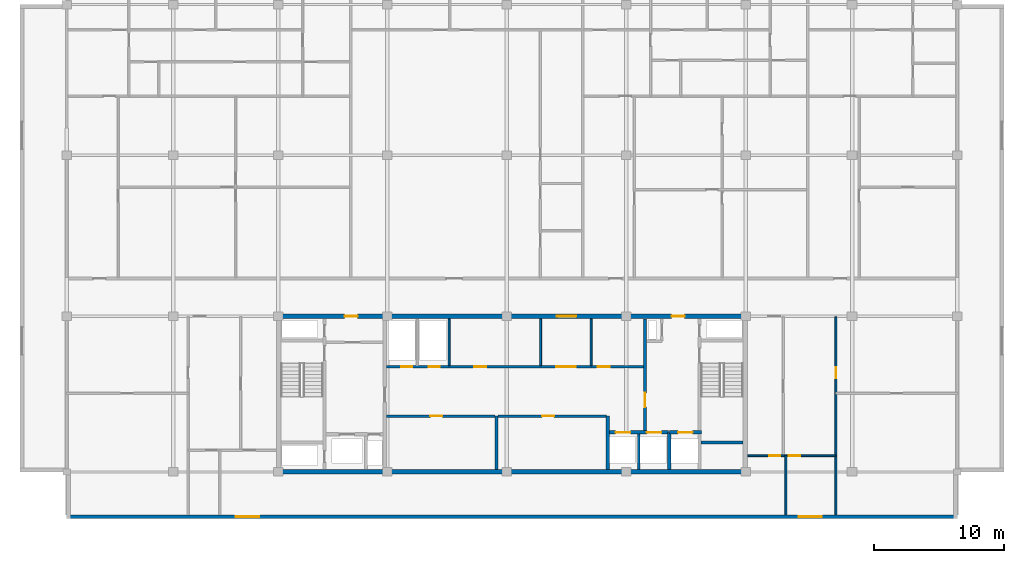
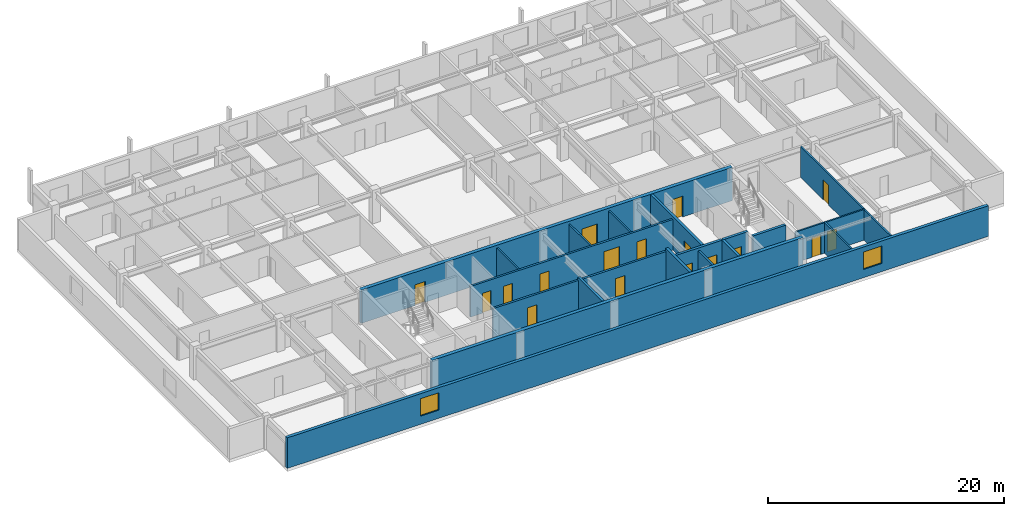
# One storey, part 4 of 10: 20 walls, 17 doors, 2 windows, 19 openings.
"""IFC4 building model written with IfcOpenShell, lengths in metres."""

from ifc_helpers import new_model, si_unit, direction, frame, frame_2d, origin, place, context, subcontext, project, spatial, rectangle, extrude, material, layer, layer_set, type_object, element, fill, save


model = new_model("IFC4")

# Units and contexts
model_context = context("Model", 3, precision=1e-05, world=origin(), true_north=direction((0.0, 1.0)))
body_context = subcontext(model_context, "Body", "Model", "MODEL_VIEW")
ifc_project = project(units=[si_unit("LENGTHUNIT", "METRE"), si_unit("AREAUNIT", "SQUARE_METRE"), si_unit("VOLUMEUNIT", "CUBIC_METRE"), si_unit("PLANEANGLEUNIT", "RADIAN"), si_unit("MASSUNIT", "GRAM", prefix="KILO")], contexts=[model_context])

# Site, building, storey
site_placement = place(None, origin())
site = spatial("IfcSite", under=ifc_project, at=site_placement, CompositionType="ELEMENT")
building_placement = place(site_placement, origin())
building = spatial("IfcBuilding", under=site, at=building_placement, Name="Korimba Cascade Residences", CompositionType="ELEMENT")
storey_placement = place(building_placement, frame((0.0, 0.0, 228.64990234375)))
storey = spatial("IfcBuildingStorey", under=building, at=storey_placement, Name="L66", CompositionType="ELEMENT", Elevation=228.64990234375)

# Wall, openings, windows
ifc_material_1 = material(Name="Precast concrete C40/50", Category="concrete")
ifc_layer_1 = layer(ifc_material_1, 0.300048828125)
ifc_layer_set_1 = layer_set([ifc_layer_1], Name="Precast concrete C40/50")
wall_type_1 = type_object("IfcWallType", Name="EW-STONE-300", PredefinedType="STANDARD", material=ifc_layer_set_1)
wall_1_placement = place(storey_placement, frame((59.800048828125, 51.75, 0.0), z_axis=(0.0, 0.0, 1.0), x_axis=(1.0, 0.0, 0.0)))
wall_1 = element("IfcWall", 1, at=wall_1_placement, inside=storey, type_object=wall_type_1, Name="L66 T1 Perimeter Stone Wall E00", PredefinedType="STANDARD", context=body_context, shape_type="SweptSolid", body=[
    extrude(rectangle(XDim=68.599853515625, YDim=0.300048828125, at=frame_2d((34.2998046875, 0.0))), origin(), (0.0, 0.0, 1.0), 3.170166015625),
])
opening_1_placement = place(wall_1_placement, frame((13.02490234375, 0.0, 0.85009765625)))
opening_1 = element("IfcOpeningElement", 2, at=opening_1_placement, cuts=wall_1, Name="Opening W-02", PredefinedType="OPENING", context=body_context, shape_type="SweptSolid", body=[
    extrude(rectangle(XDim=1.800048828125, YDim=1.800048828125, at=frame_2d((0.89990234375, 0.89990234375))), frame((0.0, 0.16015625, 0.0), z_axis=(0.0, -1.0, 0.0), x_axis=(1.0, 0.0, 0.0)), (0.0, 0.0, 1.0), 0.320068359375),
])
opening_2_placement = place(wall_1_placement, frame((56.375, 0.0, 0.85009765625)))
opening_2 = element("IfcOpeningElement", 3, at=opening_2_placement, cuts=wall_1, Name="Opening W-02", PredefinedType="OPENING", context=body_context, shape_type="SweptSolid", body=[
    extrude(rectangle(XDim=1.800048828125, YDim=1.800048828125, at=frame_2d((0.89990234375, 0.89990234375))), frame((0.0, 0.16015625, 0.0), z_axis=(0.0, -1.0, 0.0), x_axis=(1.0, 0.0, 0.0)), (0.0, 0.0, 1.0), 0.320068359375),
])
ifc_material_2 = material(Name="Double-Glazed Aluminium Window", Category="aluminium")
window_type = type_object("IfcWindowType", Name="WIN-BED-1800", PartitioningType="SINGLE_PANEL", PredefinedType="WINDOW", material=ifc_material_2)
window_1_placement = place(opening_1_placement, origin())
window_1 = element("IfcWindow", 4, at=window_1_placement, inside=storey, type_object=window_type, Name="L66 T1 South Corner Bedroom Window 1", OverallHeight=1.800048828125, OverallWidth=1.800048828125, PartitioningType="SINGLE_PANEL", PredefinedType="WINDOW", context=body_context, shape_type="SweptSolid", body=[
    extrude(rectangle(XDim=1.800048828125, YDim=1.800048828125, at=frame_2d((0.89990234375, 0.89990234375))), frame((0.0, 0.030029296875, 0.0), z_axis=(0.0, -1.0, 0.0), x_axis=(1.0, 0.0, 0.0)), (0.0, 0.0, 1.0), 0.06005859375),
])
fill(opening_1, window_1)
window_2_placement = place(opening_2_placement, origin())
window_2 = element("IfcWindow", 5, at=window_2_placement, inside=storey, type_object=window_type, Name="L66 T1 South Corner Bedroom Window 2", OverallHeight=1.800048828125, OverallWidth=1.800048828125, PartitioningType="SINGLE_PANEL", PredefinedType="WINDOW", context=body_context, shape_type="SweptSolid", body=[
    extrude(rectangle(XDim=1.800048828125, YDim=1.800048828125, at=frame_2d((0.89990234375, 0.89990234375))), frame((0.0, 0.030029296875, 0.0), z_axis=(0.0, -1.0, 0.0), x_axis=(1.0, 0.0, 0.0)), (0.0, 0.0, 1.0), 0.06005859375),
])
fill(opening_2, window_2)

# Wall
ifc_material_3 = material(Name="Concrete C65/80", Category="concrete")
ifc_layer_2 = layer(ifc_material_3, 0.35009765625)
ifc_layer_set_2 = layer_set([ifc_layer_2], Name="Concrete C65/80")
wall_type_2 = type_object("IfcWallType", Name="WAL-CORE-350", PredefinedType="SHEAR", material=ifc_layer_set_2)
wall_2_placement = place(storey_placement, frame((75.949951171875, 55.199951171875, 0.0), z_axis=(0.0, 0.0, 1.0), x_axis=(1.0, 0.0, 0.0)))
element("IfcWall", 6, at=wall_2_placement, inside=storey, type_object=wall_type_2, Name="L66 Core Shear Wall CW-L66-T1-S", PredefinedType="SHEAR", context=body_context, shape_type="SweptSolid", body=[
    extrude(rectangle(XDim=36.300048828125, YDim=0.35009765625, at=frame_2d((18.14990234375, 0.0))), origin(), (0.0, 0.0, 1.0), 3.4501953125),
])

# Wall, openings, doors
wall_3_placement = place(storey_placement, frame((75.949951171875, 67.199951171875, 0.0), z_axis=(0.0, 0.0, 1.0), x_axis=(1.0, 0.0, 0.0)))
wall_3 = element("IfcWall", 7, at=wall_3_placement, inside=storey, type_object=wall_type_2, Name="L66 Core Shear Wall CW-L66-T1-N", PredefinedType="SHEAR", context=body_context, shape_type="SweptSolid", body=[
    extrude(rectangle(XDim=36.300048828125, YDim=0.35009765625, at=frame_2d((18.14990234375, 0.0))), origin(), (0.0, 0.0, 1.0), 3.4501953125),
])
opening_3_placement = place(wall_3_placement, frame((5.25, 0.0, 0.0)))
opening_3 = element("IfcOpeningElement", 8, at=opening_3_placement, cuts=wall_3, Name="Opening D-FD5", PredefinedType="OPENING", context=body_context, shape_type="SweptSolid", body=[
    extrude(rectangle(XDim=1.0, YDim=2.14990234375, at=frame_2d((0.5, 1.074951171875))), frame((0.0, 0.18505859375, 0.0), z_axis=(0.0, -1.0, 0.0), x_axis=(1.0, 0.0, 0.0)), (0.0, 0.0, 1.0), 0.3701171875),
])
opening_4_placement = place(wall_3_placement, frame((21.60009765625, 0.0, 0.0)))
opening_4 = element("IfcOpeningElement", 9, at=opening_4_placement, cuts=wall_3, Name="Opening D-FD8", PredefinedType="OPENING", context=body_context, shape_type="SweptSolid", body=[
    extrude(rectangle(XDim=1.5, YDim=2.199951171875, at=frame_2d((0.75, 1.10009765625))), frame((0.0, 0.18505859375, 0.0), z_axis=(0.0, -1.0, 0.0), x_axis=(1.0, 0.0, 0.0)), (0.0, 0.0, 1.0), 0.3701171875),
])
opening_5_placement = place(wall_3_placement, frame((30.449951171875, 0.0, 0.0)))
opening_5 = element("IfcOpeningElement", 10, at=opening_5_placement, cuts=wall_3, Name="Opening D-FD5", PredefinedType="OPENING", context=body_context, shape_type="SweptSolid", body=[
    extrude(rectangle(XDim=1.0, YDim=2.14990234375, at=frame_2d((0.5, 1.074951171875))), frame((0.0, 0.18505859375, 0.0), z_axis=(0.0, -1.0, 0.0), x_axis=(1.0, 0.0, 0.0)), (0.0, 0.0, 1.0), 0.3701171875),
])
ifc_material_4 = material(Name="Fire-Rated Acoustic Timber Vestibule Door", Category="wood")
door_type_1 = type_object("IfcDoorType", Name="DR-FD90-1000", OperationType="NOTDEFINED", PredefinedType="DOOR", material=ifc_material_4)
door_1_placement = place(opening_3_placement, origin())
door_1 = element("IfcDoor", 11, at=door_1_placement, inside=storey, type_object=door_type_1, Name="L66 T1 West Core Vestibule Fire Door", OperationType="SINGLE_SWING_LEFT", OverallHeight=2.14990234375, OverallWidth=1.0, PredefinedType="DOOR", context=body_context, shape_type="SweptSolid", body=[
    extrude(rectangle(XDim=1.0, YDim=2.14990234375, at=frame_2d((0.5, 1.074951171875))), frame((0.0, 0.02490234375, 0.0), z_axis=(0.0, -1.0, 0.0), x_axis=(1.0, 0.0, 0.0)), (0.0, 0.0, 1.0), 0.050048828125),
])
fill(opening_3, door_1)
door_2_placement = place(opening_5_placement, origin())
door_2 = element("IfcDoor", 12, at=door_2_placement, inside=storey, type_object=door_type_1, Name="L66 T1 East Firefighting Vestibule Fire Door", OperationType="SINGLE_SWING_RIGHT", OverallHeight=2.14990234375, OverallWidth=1.0, PredefinedType="DOOR", context=body_context, shape_type="SweptSolid", body=[
    extrude(rectangle(XDim=1.0, YDim=2.14990234375, at=frame_2d((0.5, 1.074951171875))), frame((0.0, 0.02490234375, 0.0), z_axis=(0.0, -1.0, 0.0), x_axis=(1.0, 0.0, 0.0)), (0.0, 0.0, 1.0), 0.050048828125),
])
fill(opening_5, door_2)
ifc_material_5 = material(Name="Fire-Rated Glazed Lift Lobby Double Door", Category="glass")
door_type_2 = type_object("IfcDoorType", Name="DR-FD90-1500", OperationType="NOTDEFINED", PredefinedType="DOOR", material=ifc_material_5)
door_3_placement = place(opening_4_placement, origin())
door_3 = element("IfcDoor", 13, at=door_3_placement, inside=storey, type_object=door_type_2, Name="L66 T1 Lift Lobby Fire Door", OperationType="DOUBLE_DOOR_SINGLE_SWING", OverallHeight=2.199951171875, OverallWidth=1.5, PredefinedType="DOOR", context=body_context, shape_type="SweptSolid", body=[
    extrude(rectangle(XDim=1.5, YDim=2.199951171875, at=frame_2d((0.75, 1.10009765625))), frame((0.0, 0.02490234375, 0.0), z_axis=(0.0, -1.0, 0.0), x_axis=(1.0, 0.0, 0.0)), (0.0, 0.0, 1.0), 0.050048828125),
])
fill(opening_4, door_3)

# Walls
ifc_material_6 = material(Name="Insulated Acoustic Stud Partition", Category="gypsum")
ifc_layer_3 = layer(ifc_material_6, 0.14990234375)
ifc_layer_set_3 = layer_set([ifc_layer_3], Name="Insulated Acoustic Stud Partition")
wall_type_3 = type_object("IfcWallType", Name="WAL-PART-150", PredefinedType="PARTITIONING", material=ifc_layer_set_3)
for number, where, z_axis, x_axis, name in (
    (14, (89.25, 63.39990234375, 0.0), (0.0, 0.0, 1.0), (0.0, 1.0, 0.0), "L66 Partition Wall CW-L66-T1-PRDIV"),
    (15, (96.300048828125, 63.39990234375, 0.0), (0.0, 0.0, 1.0), (0.0, 1.0, 0.0), "L66 Partition Wall CW-L66-T1-THW"),
    (16, (100.199951171875, 63.39990234375, 0.0), (0.0, 0.0, 1.0), (0.0, 1.0, 0.0), "L66 Partition Wall CW-L66-T1-THE"),
):
    element("IfcWall", number, at=place(storey_placement, frame(where, z_axis=z_axis, x_axis=x_axis)), inside=storey, type_object=wall_type_3, Name=name, PredefinedType="PARTITIONING", context=body_context, shape_type="SweptSolid", body=[
        extrude(rectangle(XDim=3.60009765625, YDim=0.14990234375, at=frame_2d((1.800048828125, 0.0))), origin(), (0.0, 0.0, 1.0), 3.170166015625),
    ])

# Wall, opening, door
wall_4_placement = place(storey_placement, frame((119.050048828125, 51.89990234375, 0.0), z_axis=(0.0, 0.0, 1.0), x_axis=(0.0, 1.0, 0.0)))
wall_4 = element("IfcWall", 17, at=wall_4_placement, inside=storey, type_object=wall_type_3, Name="L66 Partition Wall WAL-L66-T1-FE-STV", PredefinedType="PARTITIONING", context=body_context, shape_type="SweptSolid", body=[
    extrude(rectangle(XDim=15.25, YDim=0.14990234375, at=frame_2d((7.625, 0.0))), origin(), (0.0, 0.0, 1.0), 3.170166015625),
])
opening_6_placement = place(wall_4_placement, frame((10.5, 0.0, 0.0)))
opening_6 = element("IfcOpeningElement", 18, at=opening_6_placement, cuts=wall_4, Name="Opening D-IN2", PredefinedType="OPENING", context=body_context, shape_type="SweptSolid", body=[
    extrude(rectangle(XDim=0.8798828125, YDim=2.06005859375, at=frame_2d((0.43994140625, 1.030029296875))), frame((0.0, 0.0849609375, 0.0), z_axis=(0.0, -1.0, 0.0), x_axis=(1.0, 0.0, 0.0)), (0.0, 0.0, 1.0), 0.169921875),
])
ifc_material_7 = material(Name="Acoustic Timber Bedroom Door", Category="wood")
door_type_3 = type_object("IfcDoorType", Name="DR-INT-880", OperationType="NOTDEFINED", PredefinedType="DOOR", material=ifc_material_7)
door_4_placement = place(opening_6_placement, origin())
door_4 = element("IfcDoor", 19, at=door_4_placement, inside=storey, type_object=door_type_3, Name="L66-T1-FE Study Door", OperationType="SINGLE_SWING_RIGHT", OverallHeight=2.06005859375, OverallWidth=0.8798828125, PredefinedType="DOOR", context=body_context, shape_type="SweptSolid", body=[
    extrude(rectangle(XDim=0.8798828125, YDim=2.06005859375, at=frame_2d((0.43994140625, 1.030029296875))), frame((0.0, 0.02490234375, 0.0), z_axis=(0.0, -1.0, 0.0), x_axis=(1.0, 0.0, 0.0)), (0.0, 0.0, 1.0), 0.050048828125),
])
fill(opening_6, door_4)

# Wall
wall_5_placement = place(storey_placement, frame((115.199951171875, 51.89990234375, 0.0), z_axis=(0.0, 0.0, 1.0), x_axis=(0.0, 1.0, 0.0)))
element("IfcWall", 20, at=wall_5_placement, inside=storey, type_object=wall_type_3, Name="L66 Partition Wall WAL-L66-T1-FE-VS", PredefinedType="PARTITIONING", context=body_context, shape_type="SweptSolid", body=[
    extrude(rectangle(XDim=4.550048828125, YDim=0.14990234375, at=frame_2d((2.27490234375, 0.0))), origin(), (0.0, 0.0, 1.0), 3.170166015625),
])

# Wall, openings, doors
wall_6_placement = place(storey_placement, frame((112.27001953125, 56.449951171875, 0.0), z_axis=(0.0, 0.0, 1.0), x_axis=(1.0, 0.0, 0.0)))
wall_6 = element("IfcWall", 21, at=wall_6_placement, inside=storey, type_object=wall_type_3, Name="L66 Partition Wall WAL-L66-T1-FE-H", PredefinedType="PARTITIONING", context=body_context, shape_type="SweptSolid", body=[
    extrude(rectangle(XDim=6.760009765625, YDim=0.14990234375, at=frame_2d((3.3798828125, 0.0))), origin(), (0.0, 0.0, 1.0), 3.170166015625),
])
opening_7_placement = place(wall_6_placement, frame((1.6396484375, 0.0, 0.0)))
opening_7 = element("IfcOpeningElement", 22, at=opening_7_placement, cuts=wall_6, Name="Opening D-BT1", PredefinedType="OPENING", context=body_context, shape_type="SweptSolid", body=[
    extrude(rectangle(XDim=0.840087890625, YDim=2.0400390625, at=frame_2d((0.419921875, 1.02001953125))), frame((0.0, 0.0849609375, 0.0), z_axis=(0.0, -1.0, 0.0), x_axis=(1.0, 0.0, 0.0)), (0.0, 0.0, 1.0), 0.169921875),
])
opening_8_placement = place(wall_6_placement, frame((3.160400390625, 0.0, 0.0)))
opening_8 = element("IfcOpeningElement", 23, at=opening_8_placement, cuts=wall_6, Name="Opening D-IN2", PredefinedType="OPENING", context=body_context, shape_type="SweptSolid", body=[
    extrude(rectangle(XDim=0.8798828125, YDim=2.06005859375, at=frame_2d((0.43994140625, 1.030029296875))), frame((0.0, 0.0849609375, 0.0), z_axis=(0.0, -1.0, 0.0), x_axis=(1.0, 0.0, 0.0)), (0.0, 0.0, 1.0), 0.169921875),
])
ifc_material_8 = material(Name="Moisture-Resistant Bathroom Timber Door", Category="wood")
door_type_4 = type_object("IfcDoorType", Name="DR-INT-850", OperationType="NOTDEFINED", PredefinedType="DOOR", material=ifc_material_8)
door_5_placement = place(opening_7_placement, origin())
door_5 = element("IfcDoor", 24, at=door_5_placement, inside=storey, type_object=door_type_4, Name="L66-T1-FE Bathroom Door", OperationType="SINGLE_SWING_RIGHT", OverallHeight=2.0400390625, OverallWidth=0.840087890625, PredefinedType="DOOR", context=body_context, shape_type="SweptSolid", body=[
    extrude(rectangle(XDim=0.840087890625, YDim=2.0400390625, at=frame_2d((0.419921875, 1.02001953125))), frame((0.0, 0.02490234375, 0.0), z_axis=(0.0, -1.0, 0.0), x_axis=(1.0, 0.0, 0.0)), (0.0, 0.0, 1.0), 0.050048828125),
])
fill(opening_7, door_5)
door_6_placement = place(opening_8_placement, origin())
door_6 = element("IfcDoor", 25, at=door_6_placement, inside=storey, type_object=door_type_3, Name="L66-T1-FE Bedroom Door", OperationType="SINGLE_SWING_LEFT", OverallHeight=2.06005859375, OverallWidth=0.8798828125, PredefinedType="DOOR", context=body_context, shape_type="SweptSolid", body=[
    extrude(rectangle(XDim=0.8798828125, YDim=2.06005859375, at=frame_2d((0.43994140625, 1.030029296875))), frame((0.0, 0.02490234375, 0.0), z_axis=(0.0, -1.0, 0.0), x_axis=(1.0, 0.0, 0.0)), (0.0, 0.0, 1.0), 0.050048828125),
])
fill(opening_8, door_6)

# Wall, opening, door
ifc_material_9 = material(Name="Concrete C40/50", Category="concrete")
ifc_layer_4 = layer(ifc_material_9, 0.199951171875)
ifc_layer_set_4 = layer_set([ifc_layer_4], Name="Concrete C40/50")
wall_type_4 = type_object("IfcWallType", Name="WAL-PART-200", PredefinedType="PARTITIONING", material=ifc_layer_set_4)
wall_7_placement = place(storey_placement, frame((84.419921875, 59.5, 0.0), z_axis=(0.0, 0.0, 1.0), x_axis=(1.0, 0.0, 0.0)))
wall_7 = element("IfcWall", 26, at=wall_7_placement, inside=storey, type_object=wall_type_4, Name="L66 Partition Wall CW-L66-T1-B1RN", PredefinedType="PARTITIONING", context=body_context, shape_type="SweptSolid", body=[
    extrude(rectangle(XDim=8.360107421875, YDim=0.199951171875, at=frame_2d((4.18017578125, 0.0))), origin(), (0.0, 0.0, 1.0), 3.170166015625),
])
opening_9_placement = place(wall_7_placement, frame((3.39990234375, 0.0, 0.0)))
opening_9 = element("IfcOpeningElement", 27, at=opening_9_placement, cuts=wall_7, Name="Opening D-ST1", PredefinedType="OPENING", context=body_context, shape_type="SweptSolid", body=[
    extrude(rectangle(XDim=0.919921875, YDim=2.080078125, at=frame_2d((0.4599609375, 1.0400390625))), frame((0.0, 0.10986328125, 0.0), z_axis=(0.0, -1.0, 0.0), x_axis=(1.0, 0.0, 0.0)), (0.0, 0.0, 1.0), 0.219970703125),
])
ifc_material_10 = material(Name="Fire-Rated Core Store Door", Category="wood")
door_type_5 = type_object("IfcDoorType", Name="DR-FD60-920", OperationType="NOTDEFINED", PredefinedType="DOOR", material=ifc_material_10)
door_7_placement = place(opening_9_placement, origin())
door_7 = element("IfcDoor", 28, at=door_7_placement, inside=storey, type_object=door_type_5, Name="L66 Resident Storage Door", OperationType="SINGLE_SWING_LEFT", OverallHeight=2.080078125, OverallWidth=0.919921875, PredefinedType="DOOR", context=body_context, shape_type="SweptSolid", body=[
    extrude(rectangle(XDim=0.919921875, YDim=2.080078125, at=frame_2d((0.4599609375, 1.0400390625))), frame((0.0, 0.02490234375, 0.0), z_axis=(0.0, -1.0, 0.0), x_axis=(1.0, 0.0, 0.0)), (0.0, 0.0, 1.0), 0.050048828125),
])
fill(opening_9, door_7)

wall_8_placement = place(storey_placement, frame((93.02001953125, 59.5, 0.0), z_axis=(0.0, 0.0, 1.0), x_axis=(1.0, 0.0, 0.0)))
wall_8 = element("IfcWall", 29, at=wall_8_placement, inside=storey, type_object=wall_type_4, Name="L66 Partition Wall CW-L66-T1-B2RN", PredefinedType="PARTITIONING", context=body_context, shape_type="SweptSolid", body=[
    extrude(rectangle(XDim=8.35986328125, YDim=0.199951171875, at=frame_2d((4.179931640625, 0.0))), origin(), (0.0, 0.0, 1.0), 3.170166015625),
])
opening_10_placement = place(wall_8_placement, frame((3.39990234375, 0.0, 0.0)))
opening_10 = element("IfcOpeningElement", 30, at=opening_10_placement, cuts=wall_8, Name="Opening D-ST1", PredefinedType="OPENING", context=body_context, shape_type="SweptSolid", body=[
    extrude(rectangle(XDim=0.919921875, YDim=2.080078125, at=frame_2d((0.4599609375, 1.0400390625))), frame((0.0, 0.10986328125, 0.0), z_axis=(0.0, -1.0, 0.0), x_axis=(1.0, 0.0, 0.0)), (0.0, 0.0, 1.0), 0.219970703125),
])
door_8_placement = place(opening_10_placement, origin())
door_8 = element("IfcDoor", 31, at=door_8_placement, inside=storey, type_object=door_type_5, Name="L66 Wine Cellar Store Door", OperationType="SINGLE_SWING_RIGHT", OverallHeight=2.080078125, OverallWidth=0.919921875, PredefinedType="DOOR", context=body_context, shape_type="SweptSolid", body=[
    extrude(rectangle(XDim=0.919921875, YDim=2.080078125, at=frame_2d((0.4599609375, 1.0400390625))), frame((0.0, 0.02490234375, 0.0), z_axis=(0.0, -1.0, 0.0), x_axis=(1.0, 0.0, 0.0)), (0.0, 0.0, 1.0), 0.050048828125),
])
fill(opening_10, door_8)

# Wall
wall_9_placement = place(storey_placement, frame((103.85009765625, 55.39990234375, 0.0), z_axis=(0.0, 0.0, 1.0), x_axis=(0.0, 1.0, 0.0)))
element("IfcWall", 32, at=wall_9_placement, inside=storey, type_object=wall_type_4, Name="L66 Partition Wall CW-L66-T1-B3D1", PredefinedType="PARTITIONING", context=body_context, shape_type="SweptSolid", body=[
    extrude(rectangle(XDim=2.72021484375, YDim=0.199951171875, at=frame_2d((1.360107421875, 0.0))), origin(), (0.0, 0.0, 1.0), 3.170166015625),
])

# Wall, openings, doors
wall_10_placement = place(storey_placement, frame((84.419921875, 63.300048828125, 0.0), z_axis=(0.0, 0.0, 1.0), x_axis=(1.0, 0.0, 0.0)))
wall_10 = element("IfcWall", 33, at=wall_10_placement, inside=storey, type_object=wall_type_4, Name="L66 Partition Wall CW-L66-T1-SRVROW", PredefinedType="PARTITIONING", context=body_context, shape_type="SweptSolid", body=[
    extrude(rectangle(XDim=19.830078125, YDim=0.199951171875, at=frame_2d((9.9150390625, 0.0))), origin(), (0.0, 0.0, 1.0), 3.170166015625),
])
opening_11_placement = place(wall_10_placement, frame((1.14990234375, 0.0, 0.0)))
opening_11 = element("IfcOpeningElement", 34, at=opening_11_placement, cuts=wall_10, Name="Opening D-RS1", PredefinedType="OPENING", context=body_context, shape_type="SweptSolid", body=[
    extrude(rectangle(XDim=0.85009765625, YDim=2.050048828125, at=frame_2d((0.425048828125, 1.02490234375))), frame((0.0, 0.10986328125, 0.0), z_axis=(0.0, -1.0, 0.0), x_axis=(1.0, 0.0, 0.0)), (0.0, 0.0, 1.0), 0.219970703125),
])
opening_12_placement = place(wall_10_placement, frame((3.25, 0.0, 0.0)))
opening_12 = element("IfcOpeningElement", 35, at=opening_12_placement, cuts=wall_10, Name="Opening D-RS1", PredefinedType="OPENING", context=body_context, shape_type="SweptSolid", body=[
    extrude(rectangle(XDim=0.85009765625, YDim=2.050048828125, at=frame_2d((0.425048828125, 1.02490234375))), frame((0.0, 0.10986328125, 0.0), z_axis=(0.0, -1.0, 0.0), x_axis=(1.0, 0.0, 0.0)), (0.0, 0.0, 1.0), 0.219970703125),
])
opening_13_placement = place(wall_10_placement, frame((13.080078125, 0.0, 0.0)))
opening_13 = element("IfcOpeningElement", 36, at=opening_13_placement, cuts=wall_10, Name="Opening D-FD8", PredefinedType="OPENING", context=body_context, shape_type="SweptSolid", body=[
    extrude(rectangle(XDim=1.5, YDim=2.199951171875, at=frame_2d((0.75, 1.10009765625))), frame((0.0, 0.10986328125, 0.0), z_axis=(0.0, -1.0, 0.0), x_axis=(1.0, 0.0, 0.0)), (0.0, 0.0, 1.0), 0.219970703125),
])
opening_14_placement = place(wall_10_placement, frame((6.780029296875, 0.0, 0.0)))
opening_14 = element("IfcOpeningElement", 37, at=opening_14_placement, cuts=wall_10, Name="Opening D-IN1", PredefinedType="OPENING", context=body_context, shape_type="SweptSolid", body=[
    extrude(rectangle(XDim=0.919921875, YDim=2.080078125, at=frame_2d((0.4599609375, 1.0400390625))), frame((0.0, 0.10986328125, 0.0), z_axis=(0.0, -1.0, 0.0), x_axis=(1.0, 0.0, 0.0)), (0.0, 0.0, 1.0), 0.219970703125),
])
opening_15_placement = place(wall_10_placement, frame((16.280029296875, 0.0, 0.0)))
opening_15 = element("IfcOpeningElement", 38, at=opening_15_placement, cuts=wall_10, Name="Opening D-IN1", PredefinedType="OPENING", context=body_context, shape_type="SweptSolid", body=[
    extrude(rectangle(XDim=0.919921875, YDim=2.080078125, at=frame_2d((0.4599609375, 1.0400390625))), frame((0.0, 0.10986328125, 0.0), z_axis=(0.0, -1.0, 0.0), x_axis=(1.0, 0.0, 0.0)), (0.0, 0.0, 1.0), 0.219970703125),
])
ifc_material_11 = material(Name="Fire-Rated Steel Riser Access Door", Category="steel")
door_type_6 = type_object("IfcDoorType", Name="DR-FD60-850", OperationType="NOTDEFINED", PredefinedType="DOOR", material=ifc_material_11)
door_9_placement = place(opening_11_placement, origin())
door_9 = element("IfcDoor", 39, at=door_9_placement, inside=storey, type_object=door_type_6, Name="L66 Electrical Riser Door", OperationType="SINGLE_SWING_LEFT", OverallHeight=2.050048828125, OverallWidth=0.85009765625, PredefinedType="DOOR", context=body_context, shape_type="SweptSolid", body=[
    extrude(rectangle(XDim=0.85009765625, YDim=2.050048828125, at=frame_2d((0.425048828125, 1.02490234375))), frame((0.0, 0.02490234375, 0.0), z_axis=(0.0, -1.0, 0.0), x_axis=(1.0, 0.0, 0.0)), (0.0, 0.0, 1.0), 0.050048828125),
])
fill(opening_11, door_9)
door_10_placement = place(opening_12_placement, origin())
door_10 = element("IfcDoor", 40, at=door_10_placement, inside=storey, type_object=door_type_6, Name="L66 Plumbing Riser Door", OperationType="SINGLE_SWING_RIGHT", OverallHeight=2.050048828125, OverallWidth=0.85009765625, PredefinedType="DOOR", context=body_context, shape_type="SweptSolid", body=[
    extrude(rectangle(XDim=0.85009765625, YDim=2.050048828125, at=frame_2d((0.425048828125, 1.02490234375))), frame((0.0, 0.02490234375, 0.0), z_axis=(0.0, -1.0, 0.0), x_axis=(1.0, 0.0, 0.0)), (0.0, 0.0, 1.0), 0.050048828125),
])
fill(opening_12, door_10)
door_11_placement = place(opening_13_placement, origin())
door_11 = element("IfcDoor", 41, at=door_11_placement, inside=storey, type_object=door_type_2, Name="L66 Lift Lobby Foyer Archway Door", OperationType="DOUBLE_DOOR_SINGLE_SWING", OverallHeight=2.199951171875, OverallWidth=1.5, PredefinedType="DOOR", context=body_context, shape_type="SweptSolid", body=[
    extrude(rectangle(XDim=1.5, YDim=2.199951171875, at=frame_2d((0.75, 1.10009765625))), frame((0.0, 0.02490234375, 0.0), z_axis=(0.0, -1.0, 0.0), x_axis=(1.0, 0.0, 0.0)), (0.0, 0.0, 1.0), 0.050048828125),
])
fill(opening_13, door_11)
ifc_material_12 = material(Name="Acoustic Timber Living Door", Category="wood")
door_type_7 = type_object("IfcDoorType", Name="DR-INT-920", OperationType="NOTDEFINED", PredefinedType="DOOR", material=ifc_material_12)
door_12_placement = place(opening_14_placement, origin())
door_12 = element("IfcDoor", 42, at=door_12_placement, inside=storey, type_object=door_type_7, Name="L66 Housekeeping Door", OperationType="SINGLE_SWING_LEFT", OverallHeight=2.080078125, OverallWidth=0.919921875, PredefinedType="DOOR", context=body_context, shape_type="SweptSolid", body=[
    extrude(rectangle(XDim=0.919921875, YDim=2.080078125, at=frame_2d((0.4599609375, 1.0400390625))), frame((0.0, 0.02490234375, 0.0), z_axis=(0.0, -1.0, 0.0), x_axis=(1.0, 0.0, 0.0)), (0.0, 0.0, 1.0), 0.050048828125),
])
fill(opening_14, door_12)
door_13_placement = place(opening_15_placement, origin())
door_13 = element("IfcDoor", 43, at=door_13_placement, inside=storey, type_object=door_type_7, Name="L66 Store Door", OperationType="SINGLE_SWING_RIGHT", OverallHeight=2.080078125, OverallWidth=0.919921875, PredefinedType="DOOR", context=body_context, shape_type="SweptSolid", body=[
    extrude(rectangle(XDim=0.919921875, YDim=2.080078125, at=frame_2d((0.4599609375, 1.0400390625))), frame((0.0, 0.02490234375, 0.0), z_axis=(0.0, -1.0, 0.0), x_axis=(1.0, 0.0, 0.0)), (0.0, 0.0, 1.0), 0.050048828125),
])
fill(opening_15, door_13)

# Walls
ifc_material_13 = material(Name="Concrete C50/60", Category="concrete")
ifc_layer_5 = layer(ifc_material_13, 0.25)
ifc_layer_set_5 = layer_set([ifc_layer_5], Name="Concrete C50/60")
wall_type_5 = type_object("IfcWallType", Name="WAL-SHAFT-250", PredefinedType="SHEAR", material=ifc_layer_set_5)
for number, where, z_axis, x_axis, name in (
    (44, (92.89990234375, 55.39990234375, 0.0), (0.0, 0.0, 1.0), (0.0, 1.0, 0.0), "L66 Core Shear Wall CW-L66-T1-B12DIV"),
    (45, (101.47998046875, 55.39990234375, 0.0), (0.0, 0.0, 1.0), (0.0, 1.0, 0.0), "L66 Core Shear Wall CW-L66-T1-B23DIV"),
):
    element("IfcWall", number, at=place(storey_placement, frame(where, z_axis=z_axis, x_axis=x_axis)), inside=storey, type_object=wall_type_5, Name=name, PredefinedType="SHEAR", context=body_context, shape_type="SweptSolid", body=[
        extrude(rectangle(XDim=4.10009765625, YDim=0.25, at=frame_2d((2.050048828125, 0.0))), origin(), (0.0, 0.0, 1.0), 3.4501953125),
    ])

# Wall, openings, doors
wall_11_placement = place(storey_placement, frame((101.550048828125, 58.25, 0.0), z_axis=(0.0, 0.0, 1.0), x_axis=(1.0, 0.0, 0.0)))
wall_11 = element("IfcWall", 46, at=wall_11_placement, inside=storey, type_object=wall_type_5, Name="L66 Core Shear Wall CW-L66-T1-B3N", PredefinedType="SHEAR", context=body_context, shape_type="SweptSolid", body=[
    extrude(rectangle(XDim=4.599853515625, YDim=0.25, at=frame_2d((2.2998046875, 0.0))), origin(), (0.0, 0.0, 1.0), 3.4501953125),
])
opening_16_placement = place(wall_11_placement, frame((0.5400390625, 0.0, 0.0)))
opening_16 = element("IfcOpeningElement", 47, at=opening_16_placement, cuts=wall_11, Name="Opening LD-01", PredefinedType="OPENING", context=body_context, shape_type="SweptSolid", body=[
    extrude(rectangle(XDim=1.1201171875, YDim=2.1201171875, at=frame_2d((0.56005859375, 1.06005859375))), frame((0.0, 0.135009765625, 0.0), z_axis=(0.0, -1.0, 0.0), x_axis=(1.0, 0.0, 0.0)), (0.0, 0.0, 1.0), 0.27001953125),
])
opening_17_placement = place(wall_11_placement, frame((2.93994140625, 0.0, 0.0)))
opening_17 = element("IfcOpeningElement", 48, at=opening_17_placement, cuts=wall_11, Name="Opening LD-01", PredefinedType="OPENING", context=body_context, shape_type="SweptSolid", body=[
    extrude(rectangle(XDim=1.1201171875, YDim=2.1201171875, at=frame_2d((0.56005859375, 1.06005859375))), frame((0.0, 0.135009765625, 0.0), z_axis=(0.0, -1.0, 0.0), x_axis=(1.0, 0.0, 0.0)), (0.0, 0.0, 1.0), 0.27001953125),
])
ifc_material_14 = material(Name="Stainless Steel Lift Landing Sliding Door", Category="steel")
door_type_8 = type_object("IfcDoorType", Name="DR-LIFT-1100", OperationType="NOTDEFINED", PredefinedType="DOOR", material=ifc_material_14)
door_14_placement = place(opening_16_placement, origin())
door_14 = element("IfcDoor", 49, at=door_14_placement, inside=storey, type_object=door_type_8, Name="L66 Lift Landing Door PL-W7", OperationType="SLIDING_TO_LEFT", OverallHeight=2.1201171875, OverallWidth=1.1201171875, PredefinedType="DOOR", context=body_context, shape_type="SweptSolid", body=[
    extrude(rectangle(XDim=1.1201171875, YDim=2.1201171875, at=frame_2d((0.56005859375, 1.06005859375))), frame((0.0, 0.02490234375, 0.0), z_axis=(0.0, -1.0, 0.0), x_axis=(1.0, 0.0, 0.0)), (0.0, 0.0, 1.0), 0.050048828125),
])
fill(opening_16, door_14)
door_15_placement = place(opening_17_placement, origin())
door_15 = element("IfcDoor", 50, at=door_15_placement, inside=storey, type_object=door_type_8, Name="L66 Lift Landing Door PL-W8", OperationType="SLIDING_TO_LEFT", OverallHeight=2.1201171875, OverallWidth=1.1201171875, PredefinedType="DOOR", context=body_context, shape_type="SweptSolid", body=[
    extrude(rectangle(XDim=1.1201171875, YDim=2.1201171875, at=frame_2d((0.56005859375, 1.06005859375))), frame((0.0, 0.02490234375, 0.0), z_axis=(0.0, -1.0, 0.0), x_axis=(1.0, 0.0, 0.0)), (0.0, 0.0, 1.0), 0.050048828125),
])
fill(opening_17, door_15)

# Wall
wall_12_placement = place(storey_placement, frame((106.219970703125, 55.39990234375, 0.0), z_axis=(0.0, 0.0, 1.0), x_axis=(0.0, 1.0, 0.0)))
element("IfcWall", 51, at=wall_12_placement, inside=storey, type_object=wall_type_5, Name="L66 Core Shear Wall CW-L66-T1-FF2W", PredefinedType="SHEAR", context=body_context, shape_type="SweptSolid", body=[
    extrude(rectangle(XDim=2.85009765625, YDim=0.25, at=frame_2d((1.425048828125, 0.0))), origin(), (0.0, 0.0, 1.0), 3.4501953125),
])

# Wall, opening, door
wall_13_placement = place(storey_placement, frame((106.219970703125, 58.25, 0.0), z_axis=(0.0, 0.0, 1.0), x_axis=(1.0, 0.0, 0.0)))
wall_13 = element("IfcWall", 52, at=wall_13_placement, inside=storey, type_object=wall_type_5, Name="L66 Core Shear Wall CW-L66-T1-FF2N", PredefinedType="SHEAR", context=body_context, shape_type="SweptSolid", body=[
    extrude(rectangle(XDim=2.4599609375, YDim=0.25, at=frame_2d((1.22998046875, 0.0))), origin(), (0.0, 0.0, 1.0), 3.4501953125),
])
opening_18_placement = place(wall_13_placement, frame((0.669921875, 0.0, 0.0)))
opening_18 = element("IfcOpeningElement", 53, at=opening_18_placement, cuts=wall_13, Name="Opening LD-01", PredefinedType="OPENING", context=body_context, shape_type="SweptSolid", body=[
    extrude(rectangle(XDim=1.1201171875, YDim=2.1201171875, at=frame_2d((0.56005859375, 1.06005859375))), frame((0.0, 0.135009765625, 0.0), z_axis=(0.0, -1.0, 0.0), x_axis=(1.0, 0.0, 0.0)), (0.0, 0.0, 1.0), 0.27001953125),
])
door_16_placement = place(opening_18_placement, origin())
door_16 = element("IfcDoor", 54, at=door_16_placement, inside=storey, type_object=door_type_8, Name="L66 Firefighting Lift Landing Door FFL-W2", OperationType="SLIDING_TO_RIGHT", OverallHeight=2.1201171875, OverallWidth=1.1201171875, PredefinedType="DOOR", context=body_context, shape_type="SweptSolid", body=[
    extrude(rectangle(XDim=1.1201171875, YDim=2.1201171875, at=frame_2d((0.56005859375, 1.06005859375))), frame((0.0, 0.02490234375, 0.0), z_axis=(0.0, -1.0, 0.0), x_axis=(1.0, 0.0, 0.0)), (0.0, 0.0, 1.0), 0.050048828125),
])
fill(opening_18, door_16)

wall_14_placement = place(storey_placement, frame((104.35009765625, 58.39990234375, 0.0), z_axis=(0.0, 0.0, 1.0), x_axis=(0.0, 1.0, 0.0)))
wall_14 = element("IfcWall", 55, at=wall_14_placement, inside=storey, type_object=wall_type_5, Name="L66 Core Shear Wall CW-L66-T1-LLEV", PredefinedType="SHEAR", context=body_context, shape_type="SweptSolid", body=[
    extrude(rectangle(XDim=8.60009765625, YDim=0.25, at=frame_2d((4.300048828125, 0.0))), origin(), (0.0, 0.0, 1.0), 3.4501953125),
])
opening_19_placement = place(wall_14_placement, frame((1.800048828125, 0.0, 0.0)))
opening_19 = element("IfcOpeningElement", 56, at=opening_19_placement, cuts=wall_14, Name="Opening D-FD1", PredefinedType="OPENING", context=body_context, shape_type="SweptSolid", body=[
    extrude(rectangle(XDim=1.10009765625, YDim=2.10009765625, at=frame_2d((0.550048828125, 1.050048828125))), frame((0.0, 0.135009765625, 0.0), z_axis=(0.0, -1.0, 0.0), x_axis=(1.0, 0.0, 0.0)), (0.0, 0.0, 1.0), 0.27001953125),
])
ifc_material_15 = material(Name="Fire-Rated Steel Core Door", Category="steel")
door_type_9 = type_object("IfcDoorType", Name="DR-FD120-1100", OperationType="NOTDEFINED", PredefinedType="DOOR", material=ifc_material_15)
door_17_placement = place(opening_19_placement, origin())
door_17 = element("IfcDoor", 57, at=door_17_placement, inside=storey, type_object=door_type_9, Name="L66 Lift Lobby to East Firefighting Lobby Door", OperationType="SINGLE_SWING_RIGHT", OverallHeight=2.10009765625, OverallWidth=1.10009765625, PredefinedType="DOOR", context=body_context, shape_type="SweptSolid", body=[
    extrude(rectangle(XDim=1.10009765625, YDim=2.10009765625, at=frame_2d((0.550048828125, 1.050048828125))), frame((0.0, 0.02490234375, 0.0), z_axis=(0.0, -1.0, 0.0), x_axis=(1.0, 0.0, 0.0)), (0.0, 0.0, 1.0), 0.050048828125),
])
fill(opening_19, door_17)

# Wall
wall_15_placement = place(storey_placement, frame((108.659912109375, 57.47509765625, 0.0), z_axis=(0.0, 0.0, 1.0), x_axis=(1.0, 0.0, 0.0)))
element("IfcWall", 58, at=wall_15_placement, inside=storey, type_object=wall_type_5, Name="L66 Core Shear Wall CW-L66-T1-STW2S", PredefinedType="SHEAR", context=body_context, shape_type="SweptSolid", body=[
    extrude(rectangle(XDim=3.239990234375, YDim=0.25, at=frame_2d((1.6201171875, 0.0))), origin(), (0.0, 0.0, 1.0), 3.4501953125),
])

save(model, "model.ifc")
